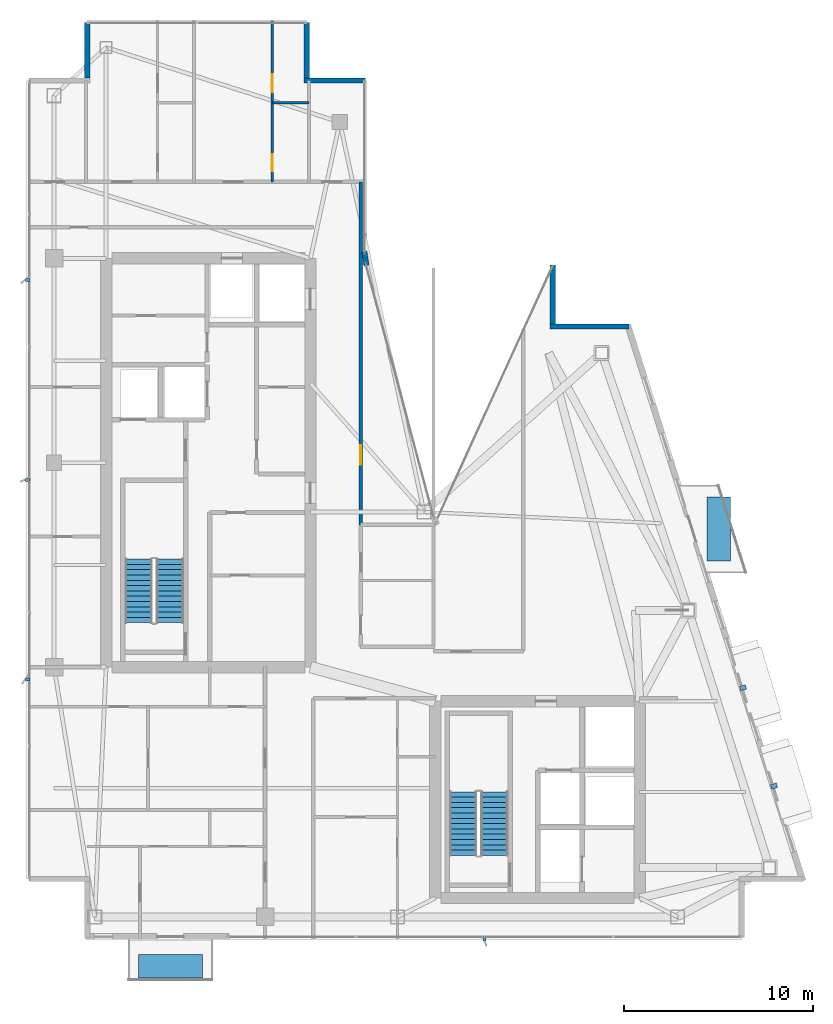
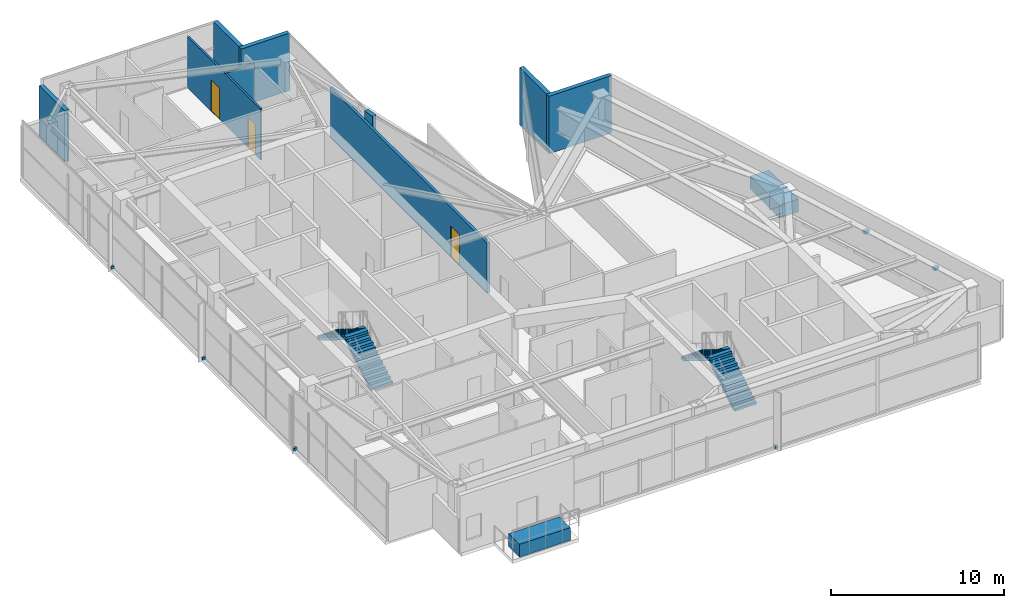
# One storey, part 24 of 26: 9 walls, 8 discrete accessories, 4 stair flights, 3 doors, 3 openings, 2 elements without a shape of their own.
"""IFC4 building model written with IfcOpenShell, lengths in metres."""

from ifc_helpers import new_model, si_unit, direction, frame, frame_2d, origin, origin_2d, place, context, subcontext, project, spatial, polyline, rectangle, outline, extrude, material, layer, layer_set, type_object, element, fill, aggregate, save


model = new_model("IFC4")

# Units and contexts
model_context = context("Model", 3, precision=1e-05, world=origin(), true_north=direction((0.0, 1.0)))
body_context = subcontext(model_context, "Body", "Model", "MODEL_VIEW")
ifc_project = project(units=[si_unit("LENGTHUNIT", "METRE"), si_unit("AREAUNIT", "SQUARE_METRE"), si_unit("VOLUMEUNIT", "CUBIC_METRE"), si_unit("PLANEANGLEUNIT", "RADIAN"), si_unit("MASSUNIT", "GRAM", prefix="KILO")], contexts=[model_context])

# Site, building, storey
site_placement = place(None, origin())
site = spatial("IfcSite", under=ifc_project, at=site_placement, CompositionType="ELEMENT")
building_placement = place(site_placement, origin())
building = spatial("IfcBuilding", under=site, at=building_placement, Name="Calvorn Quay Hotel", CompositionType="ELEMENT")
storey_placement = place(building_placement, frame((0.0, 0.0, 302.5)))
storey = spatial("IfcBuildingStorey", under=building, at=storey_placement, Name="L75", CompositionType="ELEMENT", Elevation=302.5)

# Wall, opening, door
ifc_material_1 = material(Name="Acoustic Fireboard Steel-Stud Partition", Category="steel")
ifc_layer_1 = layer(ifc_material_1, 0.179931640625)
ifc_layer_set_1 = layer_set([ifc_layer_1], Name="WL-CORR-FIRE-180")
wall_type_1 = type_object("IfcWallType", Name="WL-CORR-FIRE-180", PredefinedType="PARTITIONING", material=ifc_layer_set_1)
wall_1_placement = place(storey_placement, frame((17.64990234375, 24.300048828125, 0.0), z_axis=(0.0, 0.0, 1.0), x_axis=(0.0, 1.0, 0.0)))
wall_1 = element("IfcWall", 1, at=wall_1_placement, inside=storey, type_object=wall_type_1, Name="Partition Wall L75-WL-NW-CLOSURE-E", PredefinedType="PARTITIONING", context=body_context, shape_type="SweptSolid", body=[
    extrude(rectangle(XDim=18.14990234375, YDim=0.179931640625, at=frame_2d((9.074951171875, 0.0))), origin(), (0.0, 0.0, 1.0), 3.5),
])
opening_1_placement = place(wall_1_placement, frame((3.199951171875, 0.0, 0.0)))
opening_1 = element("IfcOpeningElement", 2, at=opening_1_placement, cuts=wall_1, Name="Opening D-L75-NCU", PredefinedType="OPENING", context=body_context, shape_type="SweptSolid", body=[
    extrude(rectangle(XDim=1.02001953125, YDim=2.199951171875, at=frame_2d((0.510009765625, 1.10009765625))), frame((0.0, 0.099853515625, 0.0), z_axis=(0.0, -1.0, 0.0), x_axis=(1.0, 0.0, 0.0)), (0.0, 0.0, 1.0), 0.199951171875),
])
ifc_material_2 = material(Name="Solid-Core Walnut Veneer Hotel Fire Door")
door_type_1 = type_object("IfcDoorType", Name="DR-GUEST-ENTRY-1020", OperationType="NOTDEFINED", PredefinedType="DOOR", material=ifc_material_2)
door_1_placement = place(opening_1_placement, origin())
door_1 = element("IfcDoor", 3, at=door_1_placement, inside=storey, type_object=door_type_1, Name="Inner Court Horizon Study Door (L75)", OperationType="SINGLE_SWING_RIGHT", OverallHeight=2.199951171875, OverallWidth=1.02001953125, PredefinedType="DOOR", context=body_context, shape_type="SweptSolid", body=[
    extrude(rectangle(XDim=1.02001953125, YDim=2.199951171875, at=frame_2d((0.510009765625, 1.10009765625))), frame((0.0, 0.02490234375, 0.0), z_axis=(0.0, -1.0, 0.0), x_axis=(1.0, 0.0, 0.0)), (0.0, 0.0, 1.0), 0.050048828125),
])
fill(opening_1, door_1)

# Wall
ifc_material_3 = material(Name="Moisture-Resistant Tile-Backed Partition")
ifc_layer_2 = layer(ifc_material_3, 0.125)
ifc_layer_set_2 = layer_set([ifc_layer_2], Name="WL-ENSUITE-125")
wall_type_2 = type_object("IfcWallType", Name="WL-ENSUITE-125", PredefinedType="PARTITIONING", material=ifc_layer_set_2)
wall_2_placement = place(storey_placement, frame((12.989990234375, 46.6201171875, 0.0), z_axis=(0.0, 0.0, 1.0), x_axis=(1.0, 0.0, 0.0)))
element("IfcWall", 4, at=wall_2_placement, inside=storey, type_object=wall_type_2, Name="Partition Wall L75-WL-U05-BDV", PredefinedType="PARTITIONING", context=body_context, shape_type="SweptSolid", body=[
    extrude(rectangle(XDim=1.929931640625, YDim=0.125, at=frame_2d((0.96484375, 0.0))), origin(), (0.0, 0.0, 1.0), 3.60009765625),
])

# Wall, openings, doors
wall_3_placement = place(storey_placement, frame((12.989990234375, 42.449951171875, 0.0), z_axis=(0.0, 0.0, 1.0), x_axis=(0.0, 1.0, 0.0)))
wall_3 = element("IfcWall", 5, at=wall_3_placement, inside=storey, type_object=wall_type_2, Name="Partition Wall L75-WL-U05-BV", PredefinedType="PARTITIONING", context=body_context, shape_type="SweptSolid", body=[
    extrude(rectangle(XDim=8.489990234375, YDim=0.125, at=frame_2d((4.2451171875, 0.0))), origin(), (0.0, 0.0, 1.0), 3.60009765625),
])
opening_2_placement = place(wall_3_placement, frame((0.550048828125, 0.0, 0.0)))
opening_2 = element("IfcOpeningElement", 6, at=opening_2_placement, cuts=wall_3, Name="Opening D-L75-E05", PredefinedType="OPENING", context=body_context, shape_type="SweptSolid", body=[
    extrude(rectangle(XDim=0.89990234375, YDim=2.14990234375, at=frame_2d((0.449951171875, 1.074951171875))), frame((0.0, 0.072509765625, 0.0), z_axis=(0.0, -1.0, 0.0), x_axis=(1.0, 0.0, 0.0)), (0.0, 0.0, 1.0), 0.14501953125),
])
opening_3_placement = place(wall_3_placement, frame((4.719970703125, 0.0, 0.0)))
opening_3 = element("IfcOpeningElement", 7, at=opening_3_placement, cuts=wall_3, Name="Opening D-L75-S05", PredefinedType="OPENING", context=body_context, shape_type="SweptSolid", body=[
    extrude(rectangle(XDim=0.9599609375, YDim=2.199951171875, at=frame_2d((0.47998046875, 1.10009765625))), frame((0.0, 0.072509765625, 0.0), z_axis=(0.0, -1.0, 0.0), x_axis=(1.0, 0.0, 0.0)), (0.0, 0.0, 1.0), 0.14501953125),
])
ifc_material_4 = material(Name="Moisture-Sealed Timber En-Suite Door", Category="wood")
door_type_2 = type_object("IfcDoorType", Name="DR-ENSUITE-900", OperationType="NOTDEFINED", PredefinedType="DOOR", material=ifc_material_4)
door_2_placement = place(opening_2_placement, origin())
door_2 = element("IfcDoor", 8, at=door_2_placement, inside=storey, type_object=door_type_2, Name="En-Suite Door 05", OperationType="SINGLE_SWING_LEFT", OverallHeight=2.14990234375, OverallWidth=0.89990234375, PredefinedType="DOOR", context=body_context, shape_type="SweptSolid", body=[
    extrude(rectangle(XDim=0.89990234375, YDim=2.14990234375, at=frame_2d((0.449951171875, 1.074951171875))), frame((0.0, 0.02490234375, 0.0), z_axis=(0.0, -1.0, 0.0), x_axis=(1.0, 0.0, 0.0)), (0.0, 0.0, 1.0), 0.050048828125),
])
fill(opening_2, door_2)
ifc_material_5 = material(Name="Solid Timber Internal Suite Door", Category="wood")
door_type_3 = type_object("IfcDoorType", Name="DR-SUITE-INT-960", OperationType="NOTDEFINED", PredefinedType="DOOR", material=ifc_material_5)
door_3_placement = place(opening_3_placement, origin())
door_3 = element("IfcDoor", 9, at=door_3_placement, inside=storey, type_object=door_type_3, Name="Private Executive Study Door 05", OperationType="SINGLE_SWING_RIGHT", OverallHeight=2.199951171875, OverallWidth=0.9599609375, PredefinedType="DOOR", context=body_context, shape_type="SweptSolid", body=[
    extrude(rectangle(XDim=0.9599609375, YDim=2.199951171875, at=frame_2d((0.47998046875, 1.10009765625))), frame((0.0, 0.02490234375, 0.0), z_axis=(0.0, -1.0, 0.0), x_axis=(1.0, 0.0, 0.0)), (0.0, 0.0, 1.0), 0.050048828125),
])
fill(opening_3, door_3)

# Walls
ifc_material_6 = material(Name="Concrete C40", Category="concrete")
ifc_layer_3 = layer(ifc_material_6, 0.320068359375)
ifc_layer_set_3 = layer_set([ifc_layer_3], Name="WL-EXT-SPANDREL-320")
wall_type_3 = type_object("IfcWallType", Name="WL-EXT-SPANDREL-320", PredefinedType="SOLIDWALL", material=ifc_layer_set_3)
wall_4_placement = place(storey_placement, frame((17.9619140625, 38.030029296875, 0.0), z_axis=(0.0, 0.0, 1.0), x_axis=(-0.15141125477, 0.988470855377, 0.0)))
element("IfcWall", 10, at=wall_4_placement, inside=storey, type_object=wall_type_3, Name="Inner Court Corner Pier L75-ICJ2", PredefinedType="SOLIDWALL", context=body_context, shape_type="SweptSolid", body=[
    extrude(rectangle(XDim=0.738525390625, YDim=0.280029296875, at=frame_2d((0.369140625, 0.0))), origin(), (0.0, 0.0, 1.0), 4.050048828125),
])
wall_5_placement = place(storey_placement, frame((31.840087890625, 34.800048828125, 0.0), z_axis=(0.0, 0.0, 1.0), x_axis=(-1.0, 0.0, 0.0)))
element("IfcWall", 11, at=wall_5_placement, inside=storey, type_object=wall_type_3, Name="Notched Corner Spandrel L75-NE1", PredefinedType="SOLIDWALL", context=body_context, shape_type="SweptSolid", body=[
    extrude(rectangle(XDim=4.18017578125, YDim=0.280029296875, at=frame_2d((2.090087890625, 0.0))), origin(), (0.0, 0.0, 1.0), 4.050048828125),
])
wall_6_placement = place(storey_placement, frame((27.800048828125, 34.93994140625, 0.0), z_axis=(0.0, 0.0, 1.0), x_axis=(0.0, 1.0, 0.0)))
element("IfcWall", 12, at=wall_6_placement, inside=storey, type_object=wall_type_3, Name="Notched Corner Spandrel L75-NE2", PredefinedType="SOLIDWALL", context=body_context, shape_type="SweptSolid", body=[
    extrude(rectangle(XDim=3.10009765625, YDim=0.280029296875, at=frame_2d((1.550048828125, 0.0))), origin(), (0.0, 0.0, 1.0), 4.050048828125),
])
wall_7_placement = place(storey_placement, frame((17.89990234375, 47.800048828125, 0.0), z_axis=(0.0, 0.0, 1.0), x_axis=(-1.0, 0.0, 0.0)))
element("IfcWall", 13, at=wall_7_placement, inside=storey, type_object=wall_type_3, Name="Notched Corner Spandrel L75-NWE1", PredefinedType="SOLIDWALL", context=body_context, shape_type="SweptSolid", body=[
    extrude(rectangle(XDim=3.239990234375, YDim=0.280029296875, at=frame_2d((1.6201171875, 0.0))), origin(), (0.0, 0.0, 1.0), 4.050048828125),
])
wall_8_placement = place(storey_placement, frame((14.800048828125, 47.93994140625, 0.0), z_axis=(0.0, 0.0, 1.0), x_axis=(0.0, 1.0, 0.0)))
element("IfcWall", 14, at=wall_8_placement, inside=storey, type_object=wall_type_3, Name="Notched Corner Spandrel L75-NWE2", PredefinedType="SOLIDWALL", context=body_context, shape_type="SweptSolid", body=[
    extrude(rectangle(XDim=2.93994140625, YDim=0.280029296875, at=frame_2d((1.469970703125, 0.0))), origin(), (0.0, 0.0, 1.0), 4.050048828125),
])
wall_9_placement = place(storey_placement, frame((3.199951171875, 50.8798828125, 0.0), z_axis=(0.0, 0.0, 1.0), x_axis=(0.0, -1.0, 0.0)))
element("IfcWall", 15, at=wall_9_placement, inside=storey, type_object=wall_type_3, Name="Notched Corner Spandrel L75-NW1", PredefinedType="SOLIDWALL", context=body_context, shape_type="SweptSolid", body=[
    extrude(rectangle(XDim=2.93994140625, YDim=0.280029296875, at=frame_2d((1.469970703125, 0.0))), origin(), (0.0, 0.0, 1.0), 3.60009765625),
])

# Stair, stair flights
ifc_material_7 = material(Name="Concrete C40", Category="concrete")
stair_type = type_object("IfcStairType", Name="STR-CORE-DOGLEG", PredefinedType="HALF_TURN_STAIR", material=ifc_material_7)
stair_1_placement = place(storey_placement, origin())
stair_1 = element("IfcStair", 16, at=stair_1_placement, inside=storey, type_object=stair_type, Name="L75 ST-W", PredefinedType="HALF_TURN_STAIR")
ifc_material_8 = material(Name="Concrete C40", Category="concrete")
stair_flight_type = type_object("IfcStairFlightType", Name="FLT-CORE-1550", PredefinedType="STRAIGHT", material=ifc_material_8)
stair_flight_1_placement = place(storey_placement, frame((7.574951171875, 19.14990234375, 0.0), z_axis=(0.0, 0.0, 1.0), x_axis=(0.0, 1.0, 0.0)))
stair_flight_1 = element("IfcStairFlight", 17, at=stair_flight_1_placement, type_object=stair_flight_type, Name="ST-W flight 1", NumberOfRisers=13, NumberOfTreads=12, PredefinedType="STRAIGHT", RiserHeight=0.173076923, TreadLength=0.28, context=body_context, shape_type="SweptSolid", body=[
    extrude(outline(polyline([(0.0, 0.0), (0.0, 0.173095703125), (0.280029296875, 0.173095703125), (0.280029296875, 0.34619140625), (0.56005859375, 0.34619140625), (0.56005859375, 0.519287109375), (0.840087890625, 0.519287109375), (0.840087890625, 0.6923828125), (1.1201171875, 0.6923828125), (1.1201171875, 0.865478515625), (1.39990234375, 0.865478515625), (1.39990234375, 1.03857421875), (1.679931640625, 1.03857421875), (1.679931640625, 1.21142578125), (1.9599609375, 1.21142578125), (1.9599609375, 1.384521484375), (2.239990234375, 1.384521484375), (2.239990234375, 1.5576171875), (2.52001953125, 1.5576171875), (2.52001953125, 1.730712890625), (2.800048828125, 1.730712890625), (2.800048828125, 1.90380859375), (3.080078125, 1.90380859375), (3.080078125, 2.076904296875), (3.360107421875, 2.076904296875), (3.360107421875, 2.25), (3.360107421875, 1.900634765625), (0.28515625, 0.0), (0.0, 0.0)])), frame((0.0, 0.72509765625, 0.0), z_axis=(0.0, -1.0, 0.0), x_axis=(1.0, 0.0, 0.0)), (0.0, 0.0, 1.0), 1.449951171875),
])
stair_flight_2_placement = place(storey_placement, frame((5.925048828125, 22.510009765625, 2.25), z_axis=(0.0, 0.0, 1.0), x_axis=(0.0, -1.0, 0.0)))
stair_flight_2 = element("IfcStairFlight", 18, at=stair_flight_2_placement, type_object=stair_flight_type, Name="ST-W flight 2", NumberOfRisers=13, NumberOfTreads=12, PredefinedType="STRAIGHT", RiserHeight=0.173076923, TreadLength=0.28, context=body_context, shape_type="SweptSolid", body=[
    extrude(outline(polyline([(0.0, 0.0), (0.0, 0.173095703125), (0.280029296875, 0.173095703125), (0.280029296875, 0.34619140625), (0.56005859375, 0.34619140625), (0.56005859375, 0.519287109375), (0.840087890625, 0.519287109375), (0.840087890625, 0.6923828125), (1.1201171875, 0.6923828125), (1.1201171875, 0.865478515625), (1.39990234375, 0.865478515625), (1.39990234375, 1.03857421875), (1.679931640625, 1.03857421875), (1.679931640625, 1.21142578125), (1.9599609375, 1.21142578125), (1.9599609375, 1.384521484375), (2.239990234375, 1.384521484375), (2.239990234375, 1.5576171875), (2.52001953125, 1.5576171875), (2.52001953125, 1.730712890625), (2.800048828125, 1.730712890625), (2.800048828125, 1.90380859375), (3.080078125, 1.90380859375), (3.080078125, 2.076904296875), (3.360107421875, 2.076904296875), (3.360107421875, 2.25), (3.360107421875, 1.900634765625), (0.28515625, 0.0), (0.0, 0.0)])), frame((0.0, 0.72509765625, 0.0), z_axis=(0.0, -1.0, 0.0), x_axis=(1.0, 0.0, 0.0)), (0.0, 0.0, 1.0), 1.449951171875),
])
aggregate(stair_1, [stair_flight_1, stair_flight_2])

stair_2_placement = place(storey_placement, origin())
stair_2 = element("IfcStair", 19, at=stair_2_placement, inside=storey, type_object=stair_type, Name="L75 ST-E", PredefinedType="HALF_TURN_STAIR")
stair_flight_3_placement = place(storey_placement, frame((24.72509765625, 6.85009765625, 0.0), z_axis=(0.0, 0.0, 1.0), x_axis=(0.0, 1.0, 0.0)))
stair_flight_3 = element("IfcStairFlight", 20, at=stair_flight_3_placement, type_object=stair_flight_type, Name="ST-E flight 1", NumberOfRisers=13, NumberOfTreads=12, PredefinedType="STRAIGHT", RiserHeight=0.173076923, TreadLength=0.28, context=body_context, shape_type="SweptSolid", body=[
    extrude(outline(polyline([(0.0, 0.0), (0.0, 0.173095703125), (0.280029296875, 0.173095703125), (0.280029296875, 0.34619140625), (0.56005859375, 0.34619140625), (0.56005859375, 0.519287109375), (0.840087890625, 0.519287109375), (0.840087890625, 0.6923828125), (1.1201171875, 0.6923828125), (1.1201171875, 0.865478515625), (1.39990234375, 0.865478515625), (1.39990234375, 1.03857421875), (1.679931640625, 1.03857421875), (1.679931640625, 1.21142578125), (1.9599609375, 1.21142578125), (1.9599609375, 1.384521484375), (2.239990234375, 1.384521484375), (2.239990234375, 1.5576171875), (2.52001953125, 1.5576171875), (2.52001953125, 1.730712890625), (2.800048828125, 1.730712890625), (2.800048828125, 1.90380859375), (3.080078125, 1.90380859375), (3.080078125, 2.076904296875), (3.360107421875, 2.076904296875), (3.360107421875, 2.25), (3.360107421875, 1.900634765625), (0.28515625, 0.0), (0.0, 0.0)])), frame((0.0, 0.72509765625, 0.0), z_axis=(0.0, -1.0, 0.0), x_axis=(1.0, 0.0, 0.0)), (0.0, 0.0, 1.0), 1.449951171875),
])
stair_flight_4_placement = place(storey_placement, frame((23.074951171875, 10.2099609375, 2.25), z_axis=(0.0, 0.0, 1.0), x_axis=(0.0, -1.0, 0.0)))
stair_flight_4 = element("IfcStairFlight", 21, at=stair_flight_4_placement, type_object=stair_flight_type, Name="ST-E flight 2", NumberOfRisers=13, NumberOfTreads=12, PredefinedType="STRAIGHT", RiserHeight=0.173076923, TreadLength=0.28, context=body_context, shape_type="SweptSolid", body=[
    extrude(outline(polyline([(0.0, 0.0), (0.0, 0.173095703125), (0.280029296875, 0.173095703125), (0.280029296875, 0.34619140625), (0.56005859375, 0.34619140625), (0.56005859375, 0.519287109375), (0.840087890625, 0.519287109375), (0.840087890625, 0.6923828125), (1.1201171875, 0.6923828125), (1.1201171875, 0.865478515625), (1.39990234375, 0.865478515625), (1.39990234375, 1.03857421875), (1.679931640625, 1.03857421875), (1.679931640625, 1.21142578125), (1.9599609375, 1.21142578125), (1.9599609375, 1.384521484375), (2.239990234375, 1.384521484375), (2.239990234375, 1.5576171875), (2.52001953125, 1.5576171875), (2.52001953125, 1.730712890625), (2.800048828125, 1.730712890625), (2.800048828125, 1.90380859375), (3.080078125, 1.90380859375), (3.080078125, 2.076904296875), (3.360107421875, 2.076904296875), (3.360107421875, 2.25), (3.360107421875, 1.900634765625), (0.28515625, 0.0), (0.0, 0.0)])), frame((0.0, 0.72509765625, 0.0), z_axis=(0.0, -1.0, 0.0), x_axis=(1.0, 0.0, 0.0)), (0.0, 0.0, 1.0), 1.449951171875),
])
aggregate(stair_2, [stair_flight_3, stair_flight_4])

# Discrete accessories
ifc_material_9 = material(Name="Steel Q355B", Category="steel")
discrete_accessory_type_1 = type_object("IfcDiscreteAccessoryType", Name="ACC-FIN-BRACKET", PredefinedType="BRACKET", material=ifc_material_9)
for number, where, z_axis, x_axis, name in (
    (22, (0.06005859375, 16.14990234375, 0.0302734375), (0.0, 0.0, 1.0), (1.0, 0.0, 0.0), "Fin Anchor Bracket L75-W01"),
    (23, (0.06005859375, 26.699951171875, 0.0302734375), (0.0, 0.0, 1.0), (1.0, 0.0, 0.0), "Fin Anchor Bracket L75-W02"),
    (24, (0.06005859375, 37.25, 0.0302734375), (0.0, 0.0, 1.0), (1.0, 0.0, 0.0), "Fin Anchor Bracket L75-W03"),
    (25, (24.199951171875, 2.4599609375, 0.0302734375), (0.0, 0.0, 1.0), (0.0, 1.0, 0.0), "Fin Anchor Bracket L75-S01"),
):
    element("IfcDiscreteAccessory", number, at=place(storey_placement, frame(where, z_axis=z_axis, x_axis=x_axis)), inside=storey, type_object=discrete_accessory_type_1, Name=name, PredefinedType="BRACKET", context=body_context, shape_type="SweptSolid", body=[
        extrude(rectangle(XDim=0.239990234375, YDim=0.159912109375, at=origin_2d()), origin(), (0.0, 0.0, 1.0), 0.179931640625),
    ])
for number, where, z_axis, x_axis, name in (
    (26, (39.4951171875, 10.511962890625, 2.3701171875), (0.0, 0.0, 1.0), (0.957319497532, 0.289031796944, 0.0), "Bay Hood Support Bracket L75-HOOD-1"),
    (27, (37.85595703125, 15.7119140625, 2.3701171875), (0.0, 0.0, 1.0), (0.957319497532, 0.289031796944, 0.0), "Bay Hood Support Bracket L75-HOOD-2"),
):
    element("IfcDiscreteAccessory", number, at=place(storey_placement, frame(where, z_axis=z_axis, x_axis=x_axis)), inside=storey, type_object=discrete_accessory_type_1, Name=name, PredefinedType="BRACKET", context=body_context, shape_type="SweptSolid", body=[
        extrude(rectangle(XDim=0.320068359375, YDim=0.239990234375, at=origin_2d()), origin(), (0.0, 0.0, 1.0), 0.199951171875),
    ])
ifc_material_10 = material(Name="Precast concrete C40", Category="concrete")
discrete_accessory_type_2 = type_object("IfcDiscreteAccessoryType", Name="ACC-TREE-PLANTER", PredefinedType="USERDEFINED", material=ifc_material_10)
discrete_accessory_1_placement = place(storey_placement, frame((36.5810546875, 24.10009765625, 0.0), z_axis=(0.0, 0.0, 1.0), x_axis=(1.0, 0.0, 0.0)))
element("IfcDiscreteAccessory", 28, at=discrete_accessory_1_placement, inside=storey, type_object=discrete_accessory_type_2, Name="Subtropical Tree Structural Planter L75-BALC-E", ObjectType="PLANTER", PredefinedType="USERDEFINED", context=body_context, shape_type="SweptSolid", body=[
    extrude(rectangle(XDim=1.25, YDim=3.39990234375, at=origin_2d()), origin(), (0.0, 0.0, 1.0), 0.89990234375),
])
discrete_accessory_2_placement = place(storey_placement, frame((7.60009765625, 0.989990234375, 0.0), z_axis=(0.0, 0.0, 1.0), x_axis=(1.0, 0.0, 0.0)))
element("IfcDiscreteAccessory", 29, at=discrete_accessory_2_placement, inside=storey, type_object=discrete_accessory_type_2, Name="Subtropical Tree Structural Planter L75-BALC-S", ObjectType="PLANTER", PredefinedType="USERDEFINED", context=body_context, shape_type="SweptSolid", body=[
    extrude(rectangle(XDim=3.39990234375, YDim=1.25, at=origin_2d()), origin(), (0.0, 0.0, 1.0), 0.89990234375),
])

save(model, "model.ifc")
